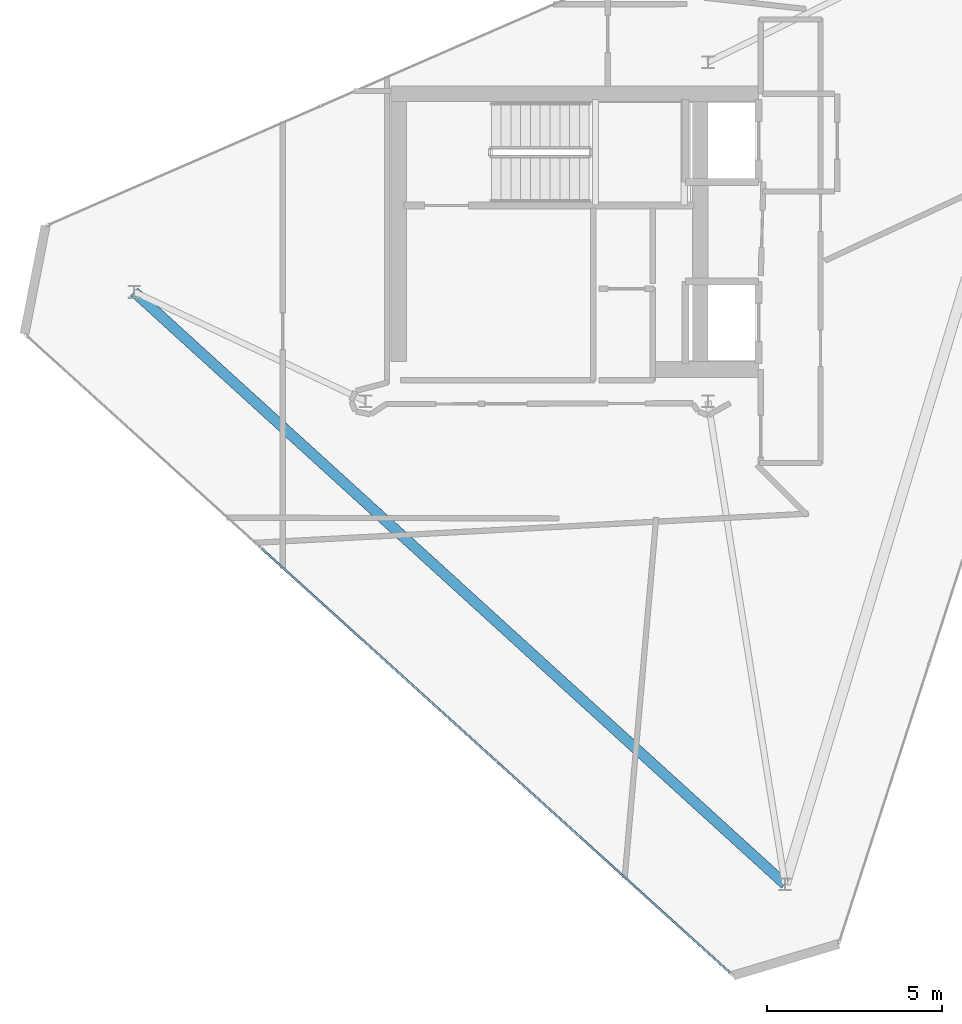
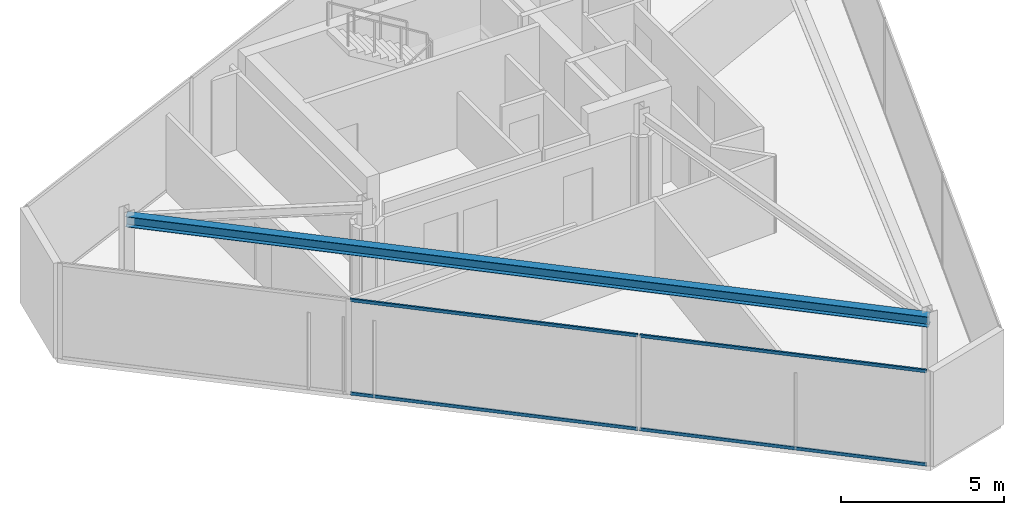
# One storey, part 4 of 15: 4 members, 1 beam, 1 element without a shape of its own.
"""IFC4 building model written with IfcOpenShell, lengths in metres."""

from ifc_helpers import new_model, si_unit, direction, frame, origin, origin_2d, place, context, subcontext, project, spatial, hollow_rectangle, i_section, extrude, material, layer, layer_set, material_profile, profile_set, type_object, element, aggregate, save


model = new_model("IFC4")

# Units and contexts
model_context = context("Model", 3, precision=1e-05, world=origin(), true_north=direction((0.0, 1.0)))
body_context = subcontext(model_context, "Body", "Model", "MODEL_VIEW")
ifc_project = project(units=[si_unit("LENGTHUNIT", "METRE"), si_unit("AREAUNIT", "SQUARE_METRE"), si_unit("VOLUMEUNIT", "CUBIC_METRE"), si_unit("PLANEANGLEUNIT", "RADIAN"), si_unit("MASSUNIT", "GRAM", prefix="KILO")], contexts=[model_context])

# Site, building, storey
site_placement = place(None, origin())
site = spatial("IfcSite", under=ifc_project, at=site_placement, CompositionType="ELEMENT")
building_placement = place(site_placement, origin())
building = spatial("IfcBuilding", under=site, at=building_placement, Name="Qianvela Tower", CompositionType="ELEMENT")
storey_placement = place(building_placement, frame((0.0, 0.0, 360.050048828125)))
storey = spatial("IfcBuildingStorey", under=building, at=storey_placement, Name="L93", CompositionType="ELEMENT", Elevation=360.050048828125)

# Beam
ifc_material_1 = material(Name="Steel Q355B", Category="steel")
ifc_material_profile_1 = material_profile(ifc_material_1, i_section(OverallWidth=0.300048828125, OverallDepth=0.389892578125, WebThickness=0.010009765625, FlangeThickness=0.01611328125, at=origin_2d()), Name="HM390x300x10x16")
ifc_profile_set_1 = profile_set([ifc_material_profile_1], Name="Steel Q355B")
beam_type = type_object("IfcBeamType", Name="BM-HM390-COLL", PredefinedType="BEAM", material=ifc_profile_set_1)
beam_placement = place(storey_placement, frame((40.60400390625, 10.027099609375, 3.35302734375), z_axis=(-0.73956574246, 0.673084327986, 0.0), x_axis=(-0.673084327986, -0.73956574246, 0.0)))
element("IfcBeam", 1, at=beam_placement, inside=storey, type_object=beam_type, Name="L93 Crown Perimeter Frame Girder 2", PredefinedType="BEAM", context=body_context, shape_type="SweptSolid", body=[
    extrude(i_section(OverallWidth=0.300048828125, OverallDepth=0.389892578125, WebThickness=0.010009765625, FlangeThickness=0.01611328125, at=origin_2d()), origin(), (0.0, 0.0, 1.0), 25.18115234375),
])

# Curtain wall, members
ifc_material_2 = material(Name="Anodised Architectural Aluminium and Low-E Glass", Category="aluminium")
ifc_layer = layer(ifc_material_2, 0.159912109375)
ifc_layer_set = layer_set([ifc_layer], Name="Anodised Architectural Aluminium and Low-E Glass")
curtain_wall_type = type_object("IfcCurtainWallType", Name="CW-CROWN", PredefinedType="USERDEFINED", material=ifc_layer_set)
curtain_wall_placement = place(storey_placement, origin())
curtain_wall = element("IfcCurtainWall", 2, at=curtain_wall_placement, inside=storey, type_object=curtain_wall_type, Name="L93 CW-CROWN Curtain Wall 04", ObjectType="CURTAIN_WALL_SYSTEM", PredefinedType="USERDEFINED")
ifc_material_3 = material(Name="Anodised Architectural Aluminium 6063-T6", Category="aluminium")
ifc_material_profile_2 = material_profile(ifc_material_3, hollow_rectangle(XDim=0.06005859375, YDim=0.114990234375, WallThickness=0.00390625, at=origin_2d()), Name="ALU-TRAN-60x115")
ifc_profile_set_2 = profile_set([ifc_material_profile_2], Name="Anodised Architectural Aluminium 6063-T6")
member_type = type_object("IfcMemberType", Name="CW-CROWN-TRAN", PredefinedType="USERDEFINED", material=ifc_profile_set_2)
member_1_placement = place(storey_placement, frame((25.63818359375, 19.6201171875, 0.030029296875), z_axis=(0.741284398286, -0.671191061366, 0.0), x_axis=(0.671191061366, 0.741284398286, 0.0)))
member_1 = element("IfcMember", 3, at=member_1_placement, type_object=member_type, Name="CW-8 transom 2.1", ObjectType="TRANSOM", PredefinedType="USERDEFINED", context=body_context, shape_type="SweptSolid", body=[
    extrude(hollow_rectangle(XDim=0.06005859375, YDim=0.114990234375, WallThickness=0.00390625, at=origin_2d()), origin(), (0.0, 0.0, 1.0), 9.021240234375),
])
member_2_placement = place(storey_placement, frame((25.63818359375, 19.6201171875, 3.52001953125), z_axis=(0.741284398286, -0.671191061366, 0.0), x_axis=(0.671191061366, 0.741284398286, 0.0)))
member_2 = element("IfcMember", 4, at=member_2_placement, type_object=member_type, Name="CW-8 transom 2.2", ObjectType="TRANSOM", PredefinedType="USERDEFINED", context=body_context, shape_type="SweptSolid", body=[
    extrude(hollow_rectangle(XDim=0.06005859375, YDim=0.114990234375, WallThickness=0.00390625, at=origin_2d()), origin(), (0.0, 0.0, 1.0), 9.021240234375),
])
member_3_placement = place(storey_placement, frame((32.37353515625, 13.521484375, 0.030029296875), z_axis=(0.74128927822, -0.671185671775, 0.0), x_axis=(0.671185671775, 0.74128927822, 0.0)))
member_3 = element("IfcMember", 5, at=member_3_placement, type_object=member_type, Name="CW-8 transom 3.1", ObjectType="TRANSOM", PredefinedType="USERDEFINED", context=body_context, shape_type="SweptSolid", body=[
    extrude(hollow_rectangle(XDim=0.06005859375, YDim=0.114990234375, WallThickness=0.00390625, at=origin_2d()), origin(), (0.0, 0.0, 1.0), 8.988525390625),
])
member_4_placement = place(storey_placement, frame((32.37353515625, 13.521484375, 3.52001953125), z_axis=(0.74128927822, -0.671185671775, 0.0), x_axis=(0.671185671775, 0.74128927822, 0.0)))
member_4 = element("IfcMember", 6, at=member_4_placement, type_object=member_type, Name="CW-8 transom 3.2", ObjectType="TRANSOM", PredefinedType="USERDEFINED", context=body_context, shape_type="SweptSolid", body=[
    extrude(hollow_rectangle(XDim=0.06005859375, YDim=0.114990234375, WallThickness=0.00390625, at=origin_2d()), origin(), (0.0, 0.0, 1.0), 8.988525390625),
])
aggregate(curtain_wall, [member_1, member_2, member_3, member_4])

save(model, "model.ifc")
